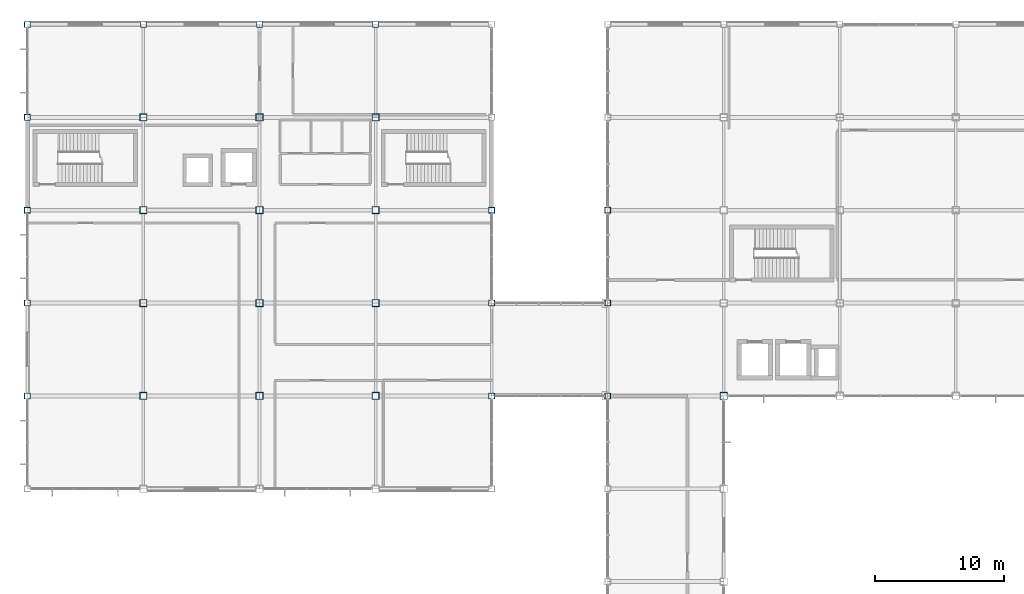
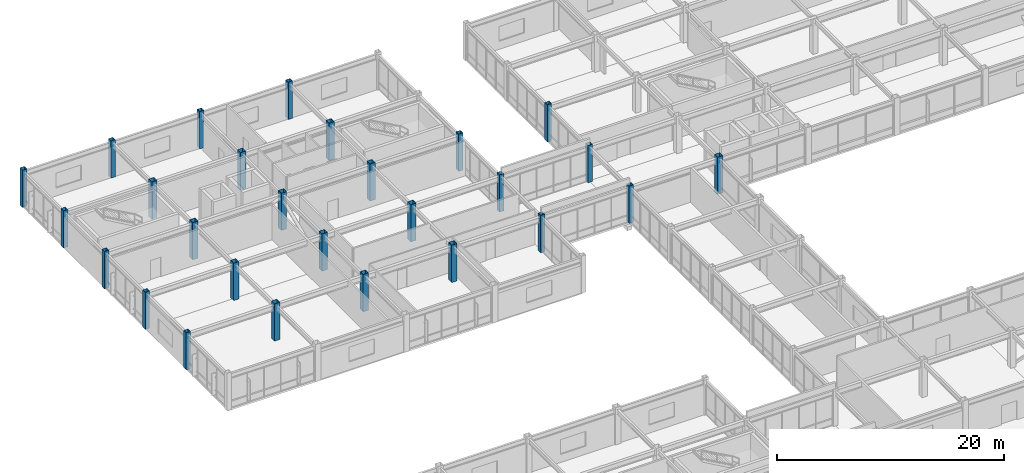
# One storey, part 7 of 122: 27 columns.
"""IFC4 building model written with IfcOpenShell, lengths in metres."""

from ifc_helpers import new_model, si_unit, direction, frame, origin, origin_2d, place, context, subcontext, project, spatial, hollow_rectangle, extrude, material, material_profile, profile_set, type_object, element, save


model = new_model("IFC4")

# Units and contexts
model_context = context("Model", 3, precision=1e-05, world=origin(), true_north=direction((0.0, 1.0)))
body_context = subcontext(model_context, "Body", "Model", "MODEL_VIEW")
ifc_project = project(units=[si_unit("LENGTHUNIT", "METRE"), si_unit("AREAUNIT", "SQUARE_METRE"), si_unit("VOLUMEUNIT", "CUBIC_METRE"), si_unit("PLANEANGLEUNIT", "RADIAN"), si_unit("MASSUNIT", "GRAM", prefix="KILO")], contexts=[model_context])

# Site, building, storey
site_placement = place(None, origin())
site = spatial("IfcSite", under=ifc_project, at=site_placement, CompositionType="ELEMENT")
building_placement = place(site_placement, origin())
building = spatial("IfcBuilding", under=site, at=building_placement, Name="Kazanami Central Library", CompositionType="ELEMENT")
storey_placement = place(building_placement, frame((0.0, 0.0, 4.800048828125)))
storey = spatial("IfcBuildingStorey", under=building, at=storey_placement, Name="L02", CompositionType="ELEMENT", Elevation=4.800048828125)

# Columns
ifc_material = material(Name="Steel BCP325 (325 MPa)", Category="steel")
ifc_material_profile_1 = material_profile(ifc_material, hollow_rectangle(XDim=0.449951171875, YDim=0.449951171875, WallThickness=0.01904296875, at=origin_2d()), Name="BCP-450x450x19")
ifc_profile_set_1 = profile_set([ifc_material_profile_1], Name="Steel BCP325 (325 MPa)")
column_type_1 = type_object("IfcColumnType", Name="COL-C-P2E", PredefinedType="COLUMN", material=ifc_profile_set_1)
for number, where, z_axis, x_axis, name in (
    (1, (0.0, 64.800048828125, 0.0), (0.0, 0.0, 1.0), (1.0, 0.0, 0.0), "Column C-P2E L02 1/K"),
    (2, (0.0, 72.0, 0.0), (0.0, 0.0, 1.0), (1.0, 0.0, 0.0), "Column C-P2E L02 1/L"),
    (3, (0.0, 79.199951171875, 0.0), (0.0, 0.0, 1.0), (1.0, 0.0, 0.0), "Column C-P2E L02 1/M"),
    (4, (0.0, 86.39990234375, 0.0), (0.0, 0.0, 1.0), (1.0, 0.0, 0.0), "Column C-P2E L02 1/N"),
    (5, (0.0, 93.60009765625, 0.0), (0.0, 0.0, 1.0), (1.0, 0.0, 0.0), "Column C-P2E L02 1/O"),
    (6, (9.0, 93.60009765625, 0.0), (0.0, 0.0, 1.0), (1.0, 0.0, 0.0), "Column C-P2E L02 2/O"),
    (7, (18.0, 93.60009765625, 0.0), (0.0, 0.0, 1.0), (1.0, 0.0, 0.0), "Column C-P2E L02 3/O"),
    (8, (27.0, 93.60009765625, 0.0), (0.0, 0.0, 1.0), (1.0, 0.0, 0.0), "Column C-P2E L02 4/O"),
    (9, (36.0, 64.800048828125, 0.0), (0.0, 0.0, 1.0), (1.0, 0.0, 0.0), "Column C-P2E L02 5/K"),
    (10, (36.0, 72.0, 0.0), (0.0, 0.0, 1.0), (1.0, 0.0, 0.0), "Column C-P2E L02 5/L"),
    (11, (36.0, 79.199951171875, 0.0), (0.0, 0.0, 1.0), (1.0, 0.0, 0.0), "Column C-P2E L02 5/M"),
    (12, (45.0, 64.800048828125, 0.0), (0.0, 0.0, 1.0), (1.0, 0.0, 0.0), "Column C-P2E L02 6/K"),
    (13, (45.0, 72.0, 0.0), (0.0, 0.0, 1.0), (1.0, 0.0, 0.0), "Column C-P2E L02 6/L"),
    (14, (45.0, 79.199951171875, 0.0), (0.0, 0.0, 1.0), (1.0, 0.0, 0.0), "Column C-P2E L02 6/M"),
):
    element("IfcColumn", number, at=place(storey_placement, frame(where, z_axis=z_axis, x_axis=x_axis)), inside=storey, type_object=column_type_1, Name=name, PredefinedType="COLUMN", context=body_context, shape_type="SweptSolid", body=[
        extrude(hollow_rectangle(XDim=0.449951171875, YDim=0.449951171875, WallThickness=0.01904296875, at=origin_2d()), origin(), (0.0, 0.0, 1.0), 4.0),
    ])
ifc_material_profile_2 = material_profile(ifc_material, hollow_rectangle(XDim=0.550048828125, YDim=0.550048828125, WallThickness=0.02197265625, at=origin_2d()), Name="BCP-550x550x22")
ifc_profile_set_2 = profile_set([ifc_material_profile_2], Name="Steel BCP325 (325 MPa)")
column_type_2 = type_object("IfcColumnType", Name="COL-C-P2I", PredefinedType="COLUMN", material=ifc_profile_set_2)
for number, where, z_axis, x_axis, name in (
    (15, (9.0, 64.800048828125, 0.0), (0.0, 0.0, 1.0), (1.0, 0.0, 0.0), "Column C-P2I L02 2/K"),
    (16, (9.0, 72.0, 0.0), (0.0, 0.0, 1.0), (1.0, 0.0, 0.0), "Column C-P2I L02 2/L"),
    (17, (9.0, 79.199951171875, 0.0), (0.0, 0.0, 1.0), (1.0, 0.0, 0.0), "Column C-P2I L02 2/M"),
    (18, (9.0, 86.39990234375, 0.0), (0.0, 0.0, 1.0), (1.0, 0.0, 0.0), "Column C-P2I L02 2/N"),
    (19, (18.0, 64.800048828125, 0.0), (0.0, 0.0, 1.0), (1.0, 0.0, 0.0), "Column C-P2I L02 3/K"),
    (20, (18.0, 72.0, 0.0), (0.0, 0.0, 1.0), (1.0, 0.0, 0.0), "Column C-P2I L02 3/L"),
    (21, (18.0, 79.199951171875, 0.0), (0.0, 0.0, 1.0), (1.0, 0.0, 0.0), "Column C-P2I L02 3/M"),
    (22, (18.0, 86.39990234375, 0.0), (0.0, 0.0, 1.0), (1.0, 0.0, 0.0), "Column C-P2I L02 3/N"),
    (23, (27.0, 64.800048828125, 0.0), (0.0, 0.0, 1.0), (1.0, 0.0, 0.0), "Column C-P2I L02 4/K"),
    (24, (27.0, 72.0, 0.0), (0.0, 0.0, 1.0), (1.0, 0.0, 0.0), "Column C-P2I L02 4/L"),
    (25, (27.0, 79.199951171875, 0.0), (0.0, 0.0, 1.0), (1.0, 0.0, 0.0), "Column C-P2I L02 4/M"),
    (26, (27.0, 86.39990234375, 0.0), (0.0, 0.0, 1.0), (1.0, 0.0, 0.0), "Column C-P2I L02 4/N"),
    (27, (54.0, 64.800048828125, 0.0), (0.0, 0.0, 1.0), (1.0, 0.0, 0.0), "Column C-P2I L02 7/K"),
):
    element("IfcColumn", number, at=place(storey_placement, frame(where, z_axis=z_axis, x_axis=x_axis)), inside=storey, type_object=column_type_2, Name=name, PredefinedType="COLUMN", context=body_context, shape_type="SweptSolid", body=[
        extrude(hollow_rectangle(XDim=0.550048828125, YDim=0.550048828125, WallThickness=0.02197265625, at=origin_2d()), origin(), (0.0, 0.0, 1.0), 4.0),
    ])

save(model, "model.ifc")
